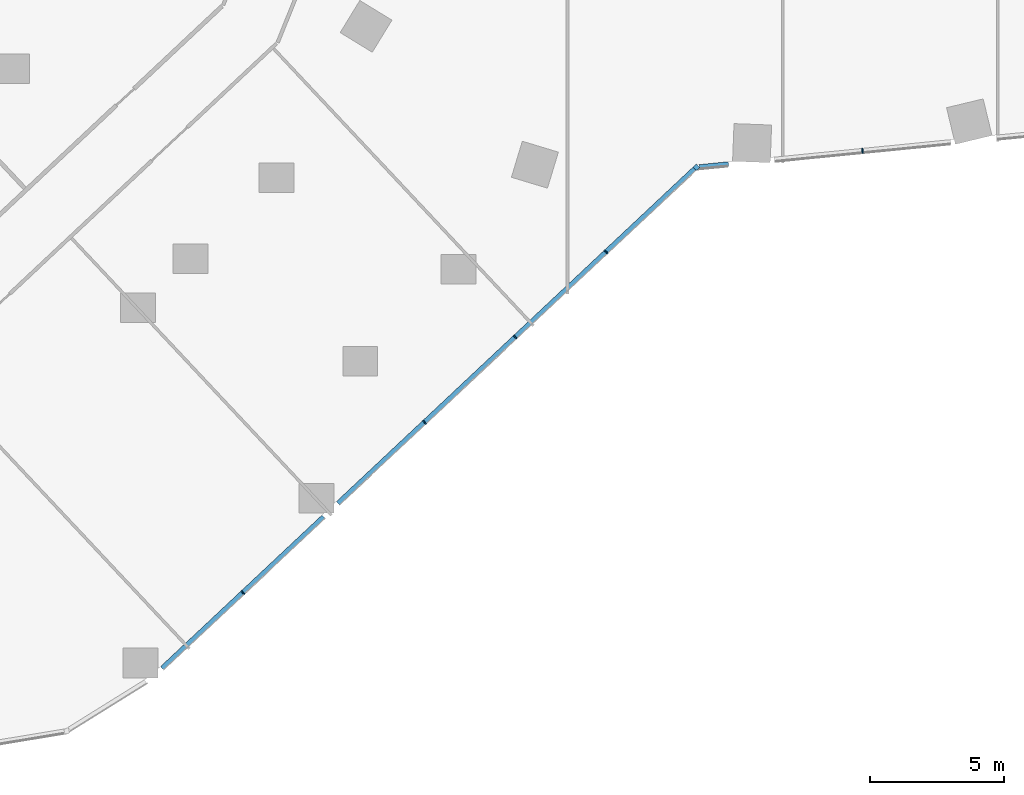
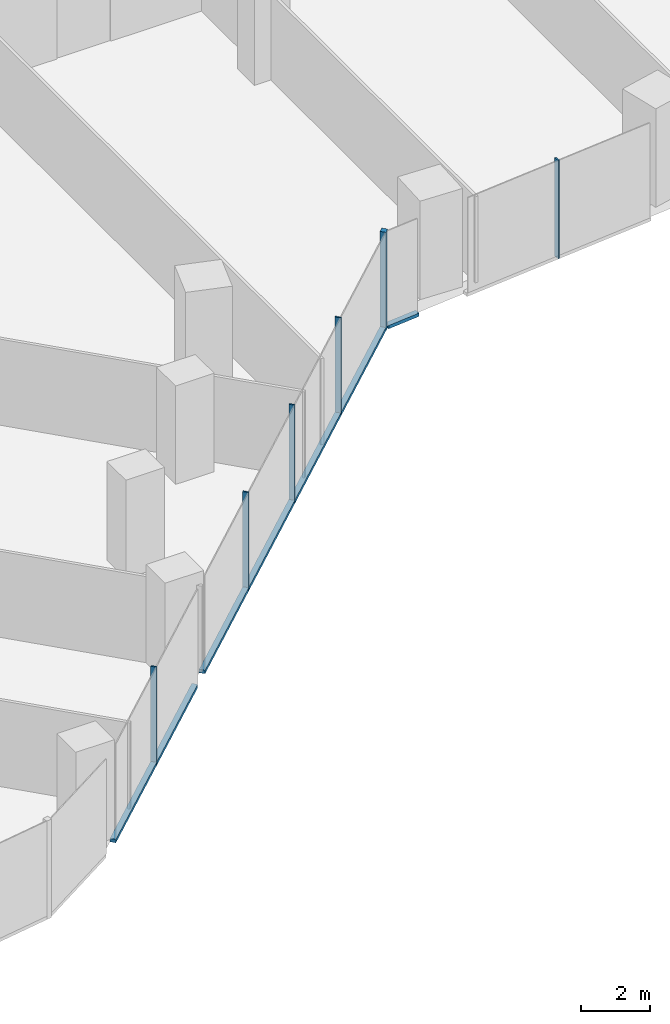
# One storey, part 4 of 34: 9 members, 2 elements without a shape of their own.
"""IFC4 building model written with IfcOpenShell, lengths in metres."""

from ifc_helpers import new_model, si_unit, direction, frame, origin, origin_2d, place, context, subcontext, project, spatial, rectangle, extrude, material, material_profile, profile_set, type_object, element, aggregate, save


model = new_model("IFC4")

# Units and contexts
model_context = context("Model", 3, precision=1e-05, world=origin(), true_north=direction((0.0, 1.0)))
body_context = subcontext(model_context, "Body", "Model", "MODEL_VIEW")
ifc_project = project(units=[si_unit("LENGTHUNIT", "METRE"), si_unit("AREAUNIT", "SQUARE_METRE"), si_unit("VOLUMEUNIT", "CUBIC_METRE"), si_unit("PLANEANGLEUNIT", "RADIAN"), si_unit("MASSUNIT", "GRAM", prefix="KILO")], contexts=[model_context])

# Site, building, storey
site_placement = place(None, origin())
site = spatial("IfcSite", under=ifc_project, at=site_placement, CompositionType="ELEMENT")
building_placement = place(site_placement, origin())
building = spatial("IfcBuilding", under=site, at=building_placement, Name="Orlundy Tower", CompositionType="ELEMENT")
storey_placement = place(building_placement, frame((0.0, 0.0, 44.300048828125)))
storey = spatial("IfcBuildingStorey", under=building, at=storey_placement, Name="L09", CompositionType="ELEMENT", Elevation=44.300048828125)

# Curtain wall, member
ifc_material_1 = material(Name="Aluminium bronze anodised", Category="aluminium")
curtain_wall_type = type_object("IfcCurtainWallType", Name="CW1 wall", PredefinedType="NOTDEFINED", material=ifc_material_1)
curtain_wall_1_placement = place(storey_placement, origin())
curtain_wall_1 = element("IfcCurtainWall", 1, at=curtain_wall_1_placement, inside=storey, type_object=curtain_wall_type, Name="CW1 run 018", PredefinedType="NOTDEFINED")
ifc_material_2 = material(Name="Aluminium bronze anodised", Category="aluminium")
ifc_material_profile_1 = material_profile(ifc_material_2, rectangle(XDim=0.179931640625, YDim=0.179931640625, at=origin_2d()), Name="CW1 corner post 180x180")
ifc_profile_set_1 = profile_set([ifc_material_profile_1], Name="Aluminium bronze anodised")
member_type_1 = type_object("IfcMemberType", Name="CW1 corner post 180x180", PredefinedType="MULLION", material=ifc_profile_set_1)
member_1_placement = place(storey_placement, frame((-3.210693359375, -30.556640625, -0.420166015625), z_axis=(0.0, 0.0, 1.0), x_axis=(0.684124281784, -0.729365455086, 0.0)))
member_1 = element("IfcMember", 2, at=member_1_placement, type_object=member_type_1, Name="CW1 mullion 51", PredefinedType="MULLION", context=body_context, shape_type="SweptSolid", body=[
    extrude(rectangle(XDim=0.179931640625, YDim=0.179931640625, at=origin_2d()), origin(), (0.0, 0.0, 1.0), 3.5),
])

curtain_wall_2_placement = place(storey_placement, origin())
curtain_wall_2 = element("IfcCurtainWall", 3, at=curtain_wall_2_placement, inside=storey, type_object=curtain_wall_type, Name="CW1 run 017", PredefinedType="NOTDEFINED")
ifc_material_3 = material(Name="Aluminium bronze anodised", Category="aluminium")
ifc_material_profile_2 = material_profile(ifc_material_3, rectangle(XDim=0.179931640625, YDim=0.050048828125, at=origin_2d()), Name="CW1 mullion 50x180")
ifc_profile_set_2 = profile_set([ifc_material_profile_2], Name="Aluminium bronze anodised")
member_type_2 = type_object("IfcMemberType", Name="CW1 mullion 50x180", PredefinedType="MULLION", material=ifc_profile_set_2)
member_2_placement = place(storey_placement, frame((2.971435546875, -29.943115234375, -0.420166015625), z_axis=(0.0, 0.0, 1.0), x_axis=(0.098750373279, -0.995112236774, 0.0)))
member_2 = element("IfcMember", 4, at=member_2_placement, type_object=member_type_2, Name="CW1 mullion 50", PredefinedType="MULLION", context=body_context, shape_type="SweptSolid", body=[
    extrude(rectangle(XDim=0.179931640625, YDim=0.050048828125, at=origin_2d()), origin(), (0.0, 0.0, 1.0), 3.5),
])

# Member
member_3_placement = place(storey_placement, frame((-6.56591796875, -33.70361328125, -0.420166015625), z_axis=(0.0, 0.0, 1.0), x_axis=(0.684124281784, -0.729365455086, 0.0)))
member_3 = element("IfcMember", 5, at=member_3_placement, type_object=member_type_2, Name="CW1 mullion 52", PredefinedType="MULLION", context=body_context, shape_type="SweptSolid", body=[
    extrude(rectangle(XDim=0.179931640625, YDim=0.050048828125, at=origin_2d()), origin(), (0.0, 0.0, 1.0), 3.5),
])

member_4_placement = place(storey_placement, frame((-9.943359375, -36.87158203125, -0.420166015625), z_axis=(0.0, 0.0, 1.0), x_axis=(0.684124281784, -0.729365455086, 0.0)))
member_4 = element("IfcMember", 6, at=member_4_placement, type_object=member_type_2, Name="CW1 mullion 53", PredefinedType="MULLION", context=body_context, shape_type="SweptSolid", body=[
    extrude(rectangle(XDim=0.179931640625, YDim=0.050048828125, at=origin_2d()), origin(), (0.0, 0.0, 1.0), 3.5),
])

member_5_placement = place(storey_placement, frame((-13.321044921875, -40.03955078125, -0.420166015625), z_axis=(0.0, 0.0, 1.0), x_axis=(0.684124281784, -0.729365455086, 0.0)))
member_5 = element("IfcMember", 7, at=member_5_placement, type_object=member_type_2, Name="CW1 mullion 54", PredefinedType="MULLION", context=body_context, shape_type="SweptSolid", body=[
    extrude(rectangle(XDim=0.179931640625, YDim=0.050048828125, at=origin_2d()), origin(), (0.0, 0.0, 1.0), 3.5),
])

member_6_placement = place(storey_placement, frame((-20.075927734375, -46.375732421875, -0.420166015625), z_axis=(0.0, 0.0, 1.0), x_axis=(0.684124281784, -0.729365455086, 0.0)))
member_6 = element("IfcMember", 8, at=member_6_placement, type_object=member_type_2, Name="CW1 mullion 56", PredefinedType="MULLION", context=body_context, shape_type="SweptSolid", body=[
    extrude(rectangle(XDim=0.179931640625, YDim=0.050048828125, at=origin_2d()), origin(), (0.0, 0.0, 1.0), 3.5),
])

ifc_material_4 = material(Name="Aluminium bronze anodised", Category="aluminium")
ifc_material_profile_3 = material_profile(ifc_material_4, rectangle(XDim=0.179931640625, YDim=0.1201171875, at=origin_2d()), Name="CW1 transom 180x120")
ifc_profile_set_3 = profile_set([ifc_material_profile_3], Name="Aluminium bronze anodised")
member_type_3 = type_object("IfcMemberType", Name="CW1 transom 180x120", PredefinedType="USERDEFINED", material=ifc_profile_set_3)
member_7_placement = place(storey_placement, frame((-2.0166015625, -30.43798828125, -0.360107421875), z_axis=(-0.99510149276, -0.098858581353, 0.0), x_axis=(0.098858581353, -0.99510149276, 0.0)))
member_7 = element("IfcMember", 9, at=member_7_placement, type_object=member_type_3, Name="CW1 transom", ObjectType="TRANSOM", PredefinedType="USERDEFINED", context=body_context, shape_type="SweptSolid", body=[
    extrude(rectangle(XDim=0.179931640625, YDim=0.1201171875, at=origin_2d()), origin(), (0.0, 0.0, 1.0), 1.086669921875),
])

aggregate(curtain_wall_2, [member_2, member_7])

member_8_placement = place(storey_placement, frame((-3.2763671875, -30.6181640625, -0.360107421875), z_axis=(-0.729371353005, -0.684117993781, 0.0), x_axis=(0.684117993781, -0.729371353005, 0.0)))
member_8 = element("IfcMember", 10, at=member_8_placement, type_object=member_type_3, Name="CW1 transom", ObjectType="TRANSOM", PredefinedType="USERDEFINED", context=body_context, shape_type="SweptSolid", body=[
    extrude(rectangle(XDim=0.179931640625, YDim=0.1201171875, at=origin_2d()), origin(), (0.0, 0.0, 1.0), 18.18115234375),
])

member_9_placement = place(storey_placement, frame((-17.073974609375, -43.56005859375, -0.360107421875), z_axis=(-0.729363270491, -0.68412661084, 0.0), x_axis=(0.68412661084, -0.729363270491, 0.0)))
member_9 = element("IfcMember", 11, at=member_9_placement, type_object=member_type_3, Name="CW1 transom", ObjectType="TRANSOM", PredefinedType="USERDEFINED", context=body_context, shape_type="SweptSolid", body=[
    extrude(rectangle(XDim=0.179931640625, YDim=0.1201171875, at=origin_2d()), origin(), (0.0, 0.0, 1.0), 8.23046875),
])

aggregate(curtain_wall_1, [member_1, member_3, member_4, member_5, member_6, member_8, member_9])

save(model, "model.ifc")
